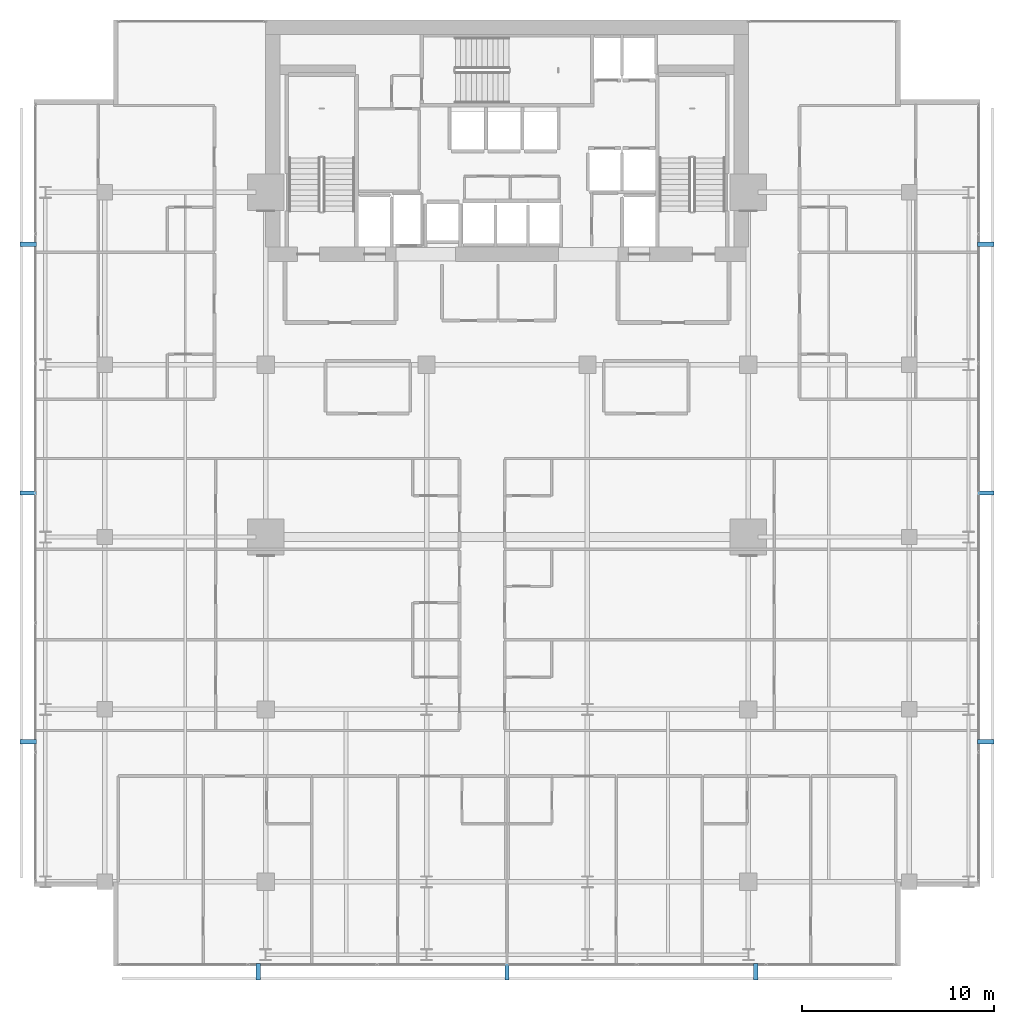
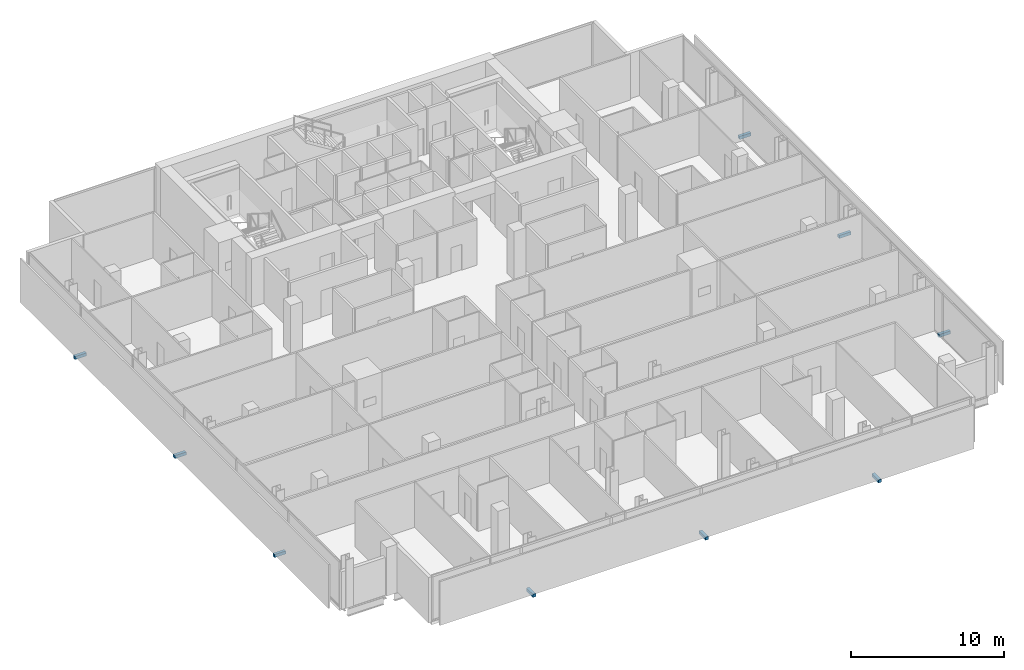
# One storey, part 32 of 34: 9 discrete accessories.
"""IFC4 building model written with IfcOpenShell, lengths in metres."""

import ifcopenshell
import ifcopenshell.guid

model = None  # the IFC model being written
_history = None  # IfcOwnerHistory: only IFC2X3 demands one
_inside = {}  # id of a spatial element -> (the spatial element, [elements in it])
_under = {}  # id of a project, library or spatial element -> (it, [spatial elements below it])
_declared = {}  # id of a project -> (the project, [libraries it declares])
_typed = {}  # id of a type object -> (the type object, [elements of that type])
_made_of = {}  # id of a material, layer set ... -> (it, [elements and type objects made of it])


def new_model(schema):
    """Start an empty IFC model of exactly this schema.

    Asked for "IFC4X3", IfcOpenShell would pick the latest addendum, in which some entities
    have other attributes; the version numbers below select the first issue.
    IFC2X3 requires an IfcOwnerHistory on every rooted entity: one is made here for all.
    """
    global model, _history
    if schema == "IFC4X3":
        model = ifcopenshell.file(schema_version=(4, 3, 0, 0))
    else:
        model = ifcopenshell.file(schema=schema)
    _inside.clear()
    _under.clear()
    _declared.clear()
    _typed.clear()
    _made_of.clear()
    _history = None
    if model.schema == "IFC2X3":
        org = make("IfcOrganization", Name="unknown")
        user = make(
            "IfcPersonAndOrganization",
            ThePerson=make("IfcPerson", FamilyName="unknown"),
            TheOrganization=org,
        )
        app = make(
            "IfcApplication",
            ApplicationDeveloper=org,
            Version="unknown",
            ApplicationFullName="unknown",
            ApplicationIdentifier="unknown",
        )
        _history = make(
            "IfcOwnerHistory",
            OwningUser=user,
            OwningApplication=app,
            ChangeAction="ADDED",
            CreationDate=0,
        )
    return model


def make(cls, **values):
    """One entity of the class cls with the attributes given. An attribute that is None is left unset."""
    return model.create_entity(
        cls, **{name: value for name, value in values.items() if value is not None}
    )


def rooted(cls, **values):
    """An entity with a GlobalId (a new one), such as an element, a storey or a relation."""
    return make(cls, GlobalId=ifcopenshell.guid.new(), OwnerHistory=_history, **values)


def si_unit(unit_type, name, prefix=None):
    """IfcSIUnit, for example si_unit("LENGTHUNIT", "METRE", prefix="MILLI")."""
    return make("IfcSIUnit", UnitType=unit_type, Prefix=prefix, Name=name)


def assignment(units):
    """IfcUnitAssignment: the units of a project."""
    return None if units is None else make("IfcUnitAssignment", Units=units)


def point(xyz):
    """IfcCartesianPoint."""
    return None if xyz is None else make("IfcCartesianPoint", Coordinates=xyz)


def direction(xyz):
    """IfcDirection."""
    return None if xyz is None else make("IfcDirection", DirectionRatios=xyz)


def frame(location, z_axis=None, x_axis=None):
    """IfcAxis2Placement3D, a coordinate frame: its origin and axes. An axis left out is left unset."""
    return make(
        "IfcAxis2Placement3D",
        Location=point(location),
        Axis=direction(z_axis),
        RefDirection=direction(x_axis),
    )


def frame_2d(location, x_axis=None):
    """IfcAxis2Placement2D, a coordinate frame in the plane: its origin and x axis."""
    return make(
        "IfcAxis2Placement2D", Location=point(location), RefDirection=direction(x_axis)
    )


def origin():
    """The frame at (0, 0, 0) with its axes left unset."""
    return frame((0.0, 0.0, 0.0))


def origin_2d():
    """The frame at (0, 0) in the plane with its x axis left unset."""
    return frame_2d((0.0, 0.0))


def place(relative_to, where):
    """IfcLocalPlacement: puts the frame where relative to a parent placement (None: the world)."""
    return make(
        "IfcLocalPlacement", PlacementRelTo=relative_to, RelativePlacement=where
    )


def context(
    kind, dimensions, precision=None, world=None, true_north=None, identifier=None
):
    """IfcGeometricRepresentationContext, for example the 3D "Model" context."""
    return make(
        "IfcGeometricRepresentationContext",
        ContextIdentifier=identifier,
        ContextType=kind,
        CoordinateSpaceDimension=dimensions,
        Precision=precision,
        WorldCoordinateSystem=world,
        TrueNorth=true_north,
    )


def subcontext(parent, identifier, kind, view, scale=None):
    """IfcGeometricRepresentationSubContext, for example "Body" below "Model"."""
    return make(
        "IfcGeometricRepresentationSubContext",
        ContextIdentifier=identifier,
        ContextType=kind,
        ParentContext=parent,
        TargetScale=scale,
        TargetView=view,
    )


def project(units=None, contexts=None):
    """IfcProject with its units and contexts."""
    return rooted(
        "IfcProject",
        Name="project",
        RepresentationContexts=contexts,
        UnitsInContext=assignment(units),
    )


def spatial(cls, under=None, at=None, **own):
    """A site, building, storey or space (cls), placed at a placement, below another one or the project."""
    s = rooted(cls, ObjectPlacement=at, **own)
    if under is not None:
        _under.setdefault(under.id(), (under, []))[1].append(s)
    return s


def profile(cls, at=None, kind="AREA", **sizes):
    """A parametric profile (cls). Its sizes go by their IFC names, for example OverallWidth=200.0."""
    return make(cls, ProfileType=kind, Position=at, **sizes)


def rectangle(**sizes):
    """IfcRectangleProfileDef."""
    return profile("IfcRectangleProfileDef", **sizes)


def extrude(swept, where, along, depth):
    """IfcExtrudedAreaSolid: the profile swept, set in the frame where, extruded along a direction by depth."""
    return make(
        "IfcExtrudedAreaSolid",
        SweptArea=swept,
        Position=where,
        ExtrudedDirection=direction(along),
        Depth=depth,
    )


def shape(context_of_items, identifier, shape_type, items):
    """IfcShapeRepresentation: the items that make up one representation, for example the "Body"."""
    return make(
        "IfcShapeRepresentation",
        ContextOfItems=context_of_items,
        RepresentationIdentifier=identifier,
        RepresentationType=shape_type,
        Items=items,
    )


def material(Name=None, Category=None):
    """IfcMaterial."""
    return make("IfcMaterial", Name=Name, Category=Category)


def made_of(thing, what):
    """Note that an element or type object is made of a material, layer set ...; save() writes the relation."""
    if what is not None:
        _made_of.setdefault(what.id(), (what, []))[1].append(thing)
    return thing


def type_object(cls, material=None, **own):
    """A type object (cls), such as IfcWallType, which elements share."""
    return made_of(rooted(cls, **own), material)


def element(
    cls,
    number,
    at=None,
    inside=None,
    cuts=None,
    type_object=None,
    material=None,
    context=None,
    identifier="Body",
    shape_type=None,
    held_by="IfcProductDefinitionShape",
    body=None,
    shapes=None,
    **own,
):
    """One element of the class cls, such as IfcWall. Its Tag is "e" and its number.

    at: its placement. inside: the storey or other place that contains it. cuts: it is an
    opening in that element (IfcRelVoidsElement). A single representation is given by context,
    identifier, shape_type and body (its items); several are given by shapes. held_by: the class
    of the entity that holds the representations. save() writes the other relations.
    """
    e = rooted(cls, Tag="e%d" % number, ObjectPlacement=at, **own)
    if body is not None:
        shapes = [shape(context, identifier, shape_type, body)]
    if shapes is not None:
        e.Representation = make(held_by, Representations=shapes)
    if inside is not None:
        _inside.setdefault(inside.id(), (inside, []))[1].append(e)
    if cuts is not None:
        rooted(
            "IfcRelVoidsElement", RelatingBuildingElement=cuts, RelatedOpeningElement=e
        )
    if type_object is not None:
        _typed.setdefault(type_object.id(), (type_object, []))[1].append(e)
    return made_of(e, material)


def aggregate(whole, parts):
    """IfcRelAggregates: a whole, such as a stair, and the parts it consists of."""
    return rooted("IfcRelAggregates", RelatingObject=whole, RelatedObjects=parts)


def save(model, path):
    """Write the relations noted so far, then the file.

    IfcRelAggregates (storeys below a building ...), IfcRelContainedInSpatialStructure (elements
    in a storey), IfcRelDefinesByType, IfcRelAssociatesMaterial and IfcRelDeclares: one each for
    every whole, place, type object, material and project.
    """
    for whole, parts in _under.values():
        aggregate(whole, parts)
    for where, things in _inside.values():
        rooted(
            "IfcRelContainedInSpatialStructure",
            RelatedElements=things,
            RelatingStructure=where,
        )
    for kind, things in _typed.values():
        rooted("IfcRelDefinesByType", RelatedObjects=things, RelatingType=kind)
    for what, things in _made_of.values():
        rooted("IfcRelAssociatesMaterial", RelatedObjects=things, RelatingMaterial=what)
    for by, libraries in _declared.values():
        rooted("IfcRelDeclares", RelatingContext=by, RelatedDefinitions=libraries)
    model.write(path)


model = new_model("IFC4")

# Units and contexts
model_context = context("Model", 3, precision=1e-05, world=origin(), true_north=direction((0.0, 1.0)))
body_context = subcontext(model_context, "Body", "Model", "MODEL_VIEW")
ifc_project = project(units=[si_unit("LENGTHUNIT", "METRE"), si_unit("AREAUNIT", "SQUARE_METRE"), si_unit("VOLUMEUNIT", "CUBIC_METRE"), si_unit("PLANEANGLEUNIT", "RADIAN"), si_unit("MASSUNIT", "GRAM", prefix="KILO")], contexts=[model_context])

# Site, building, storey
site_placement = place(None, origin())
site = spatial("IfcSite", under=ifc_project, at=site_placement, CompositionType="ELEMENT")
building_placement = place(site_placement, origin())
building = spatial("IfcBuilding", under=site, at=building_placement, Name="Maruvema Waterfront Hotel and Observation Tower", CompositionType="ELEMENT")
storey_placement = place(building_placement, frame((0.0, 0.0, 146.64990234375)))
storey = spatial("IfcBuildingStorey", under=building, at=storey_placement, Name="L35", CompositionType="ELEMENT", Elevation=146.64990234375)

# Discrete accessories
ifc_material = material(Name="Duplex stainless steel Grade 2205", Category="steel")
discrete_accessory_type = type_object("IfcDiscreteAccessoryType", Name="Double-Skin Cavity Stainless Outrigger Bracket", PredefinedType="BRACKET", material=ifc_material)
for number, where, z_axis, x_axis, name in (
    (1, (24.80810546875, 4.300048828125, -0.14013671875), (0.0, 0.0, 1.0), (1.0, 0.0, 0.0), "L35 Outer Skin Support Bracket 1"),
    (2, (37.800048828125, 4.300048828125, -0.14013671875), (0.0, 0.0, 1.0), (1.0, 0.0, 0.0), "L35 Outer Skin Support Bracket 2"),
    (3, (50.7919921875, 4.300048828125, -0.14013671875), (0.0, 0.0, 1.0), (1.0, 0.0, 0.0), "L35 Outer Skin Support Bracket 3"),
    (4, (62.800048828125, 16.30810546875, -0.14013671875), (0.0, 0.0, 1.0), (0.0, 1.0, 0.0), "L35 Outer Skin Support Bracket 1"),
    (5, (62.800048828125, 29.300048828125, -0.14013671875), (0.0, 0.0, 1.0), (0.0, 1.0, 0.0), "L35 Outer Skin Support Bracket 2"),
    (6, (62.800048828125, 42.2919921875, -0.14013671875), (0.0, 0.0, 1.0), (0.0, 1.0, 0.0), "L35 Outer Skin Support Bracket 3"),
    (7, (12.800048828125, 42.2919921875, -0.14013671875), (0.0, 0.0, 1.0), (0.0, -1.0, 0.0), "L35 Outer Skin Support Bracket 1"),
    (8, (12.800048828125, 29.300048828125, -0.14013671875), (0.0, 0.0, 1.0), (0.0, -1.0, 0.0), "L35 Outer Skin Support Bracket 2"),
    (9, (12.800048828125, 16.30810546875, -0.14013671875), (0.0, 0.0, 1.0), (0.0, -1.0, 0.0), "L35 Outer Skin Support Bracket 3"),
):
    element("IfcDiscreteAccessory", number, at=place(storey_placement, frame(where, z_axis=z_axis, x_axis=x_axis)), inside=storey, type_object=discrete_accessory_type, Name=name, PredefinedType="BRACKET", context=body_context, shape_type="SweptSolid", body=[
        extrude(rectangle(XDim=0.219970703125, YDim=0.860107421875, at=origin_2d()), origin(), (0.0, 0.0, 1.0), 0.239990234375),
    ])

save(model, "model.ifc")
